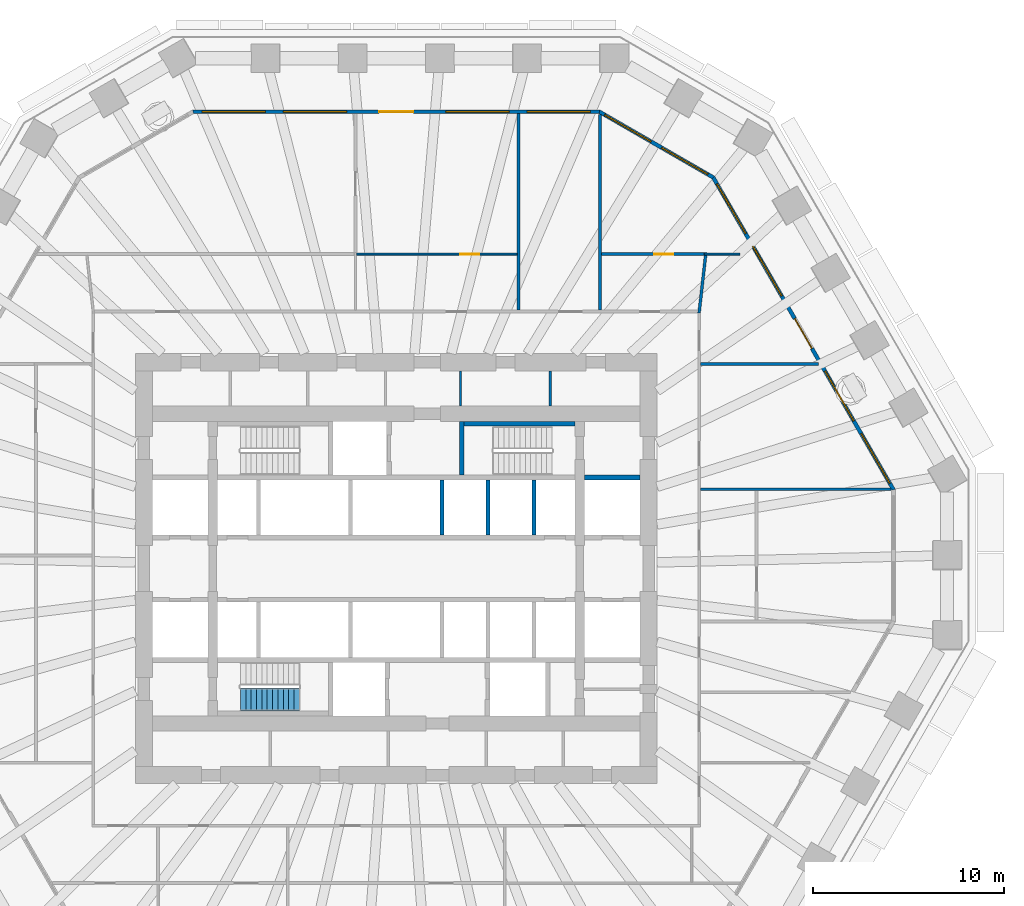
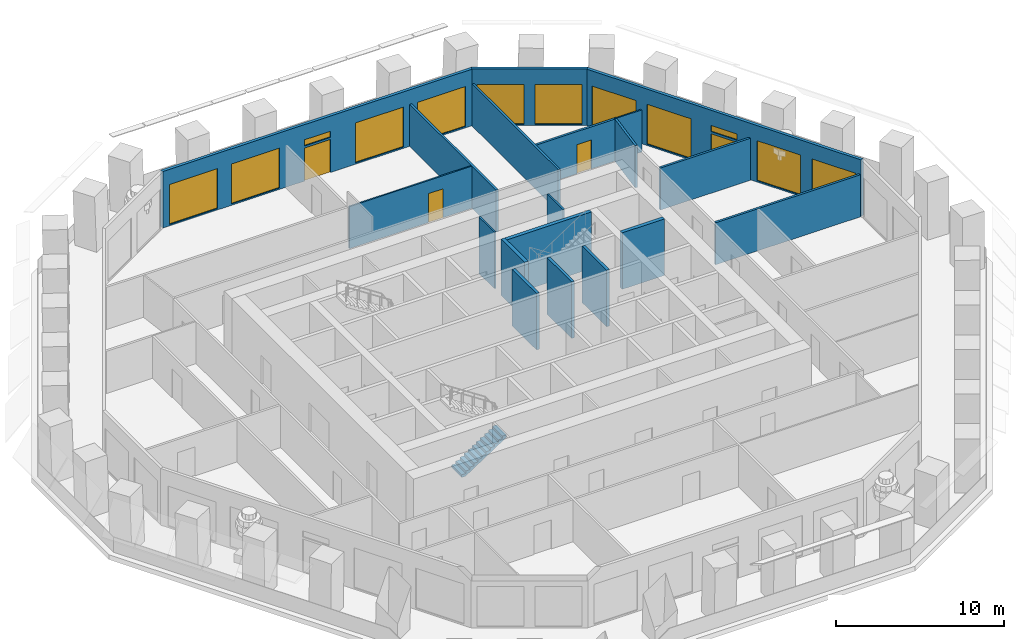
# One storey, part 8 of 13: 19 walls, 12 windows, 4 doors, 1 stair flight, 16 openings, 1 element without a shape of its own.
"""IFC4 building model written with IfcOpenShell, lengths in metres."""

from ifc_helpers import new_model, si_unit, direction, frame, frame_2d, origin, place, context, subcontext, project, spatial, polyline, rectangle, outline, extrude, material, layer, layer_set, type_object, element, fill, aggregate, save


model = new_model("IFC4")

# Units and contexts
model_context = context("Model", 3, precision=1e-05, world=origin(), true_north=direction((0.0, 1.0)))
body_context = subcontext(model_context, "Body", "Model", "MODEL_VIEW")
ifc_project = project(units=[si_unit("LENGTHUNIT", "METRE"), si_unit("AREAUNIT", "SQUARE_METRE"), si_unit("VOLUMEUNIT", "CUBIC_METRE"), si_unit("PLANEANGLEUNIT", "RADIAN"), si_unit("MASSUNIT", "GRAM", prefix="KILO")], contexts=[model_context])

# Site, building, storey
site_placement = place(None, origin())
site = spatial("IfcSite", under=ifc_project, at=site_placement, CompositionType="ELEMENT")
building_placement = place(site_placement, origin())
building = spatial("IfcBuilding", under=site, at=building_placement, Name="Frailejon Research Tower", CompositionType="ELEMENT")
storey_placement = place(building_placement, frame((0.0, 0.0, 36.60009765625)))
storey = spatial("IfcBuildingStorey", under=building, at=storey_placement, Name="L08", CompositionType="ELEMENT", Elevation=36.60009765625)

# Walls
ifc_material_1 = material(Name="Plasterboard on steel studs", Category="steel")
ifc_layer_1 = layer(ifc_material_1, 0.125)
ifc_layer_set_1 = layer_set([ifc_layer_1], Name="Core partition 125")
wall_type_1 = type_object("IfcWallType", Name="Core partition 125", PredefinedType="PARTITIONING", material=ifc_layer_set_1)
for number, where, z_axis, x_axis, name in (
    (1, (3.362548828125, 8.5, 0.0), (0.0, 0.0, 1.0), (0.0, 1.0, 0.0), "Core partition"),
    (2, (8.05615234375, 8.5, 0.0), (0.0, 0.0, 1.0), (0.0, 1.0, 0.0), "Core partition"),
):
    element("IfcWall", number, at=place(storey_placement, frame(where, z_axis=z_axis, x_axis=x_axis)), inside=storey, type_object=wall_type_1, Name=name, PredefinedType="PARTITIONING", context=body_context, shape_type="SweptSolid", body=[
        extrude(rectangle(XDim=1.85009765625, YDim=0.125, at=frame_2d((0.925048828125, 0.0))), origin(), (0.0, 0.0, 1.0), 4.099853515625),
    ])
ifc_material_2 = material(Name="Gypsum board and masonry partition", Category="masonry")
ifc_layer_2 = layer(ifc_material_2, 0.14990234375)
ifc_layer_set_2 = layer_set([ifc_layer_2], Name="Laboratory partition, blockwork 150")
wall_type_2 = type_object("IfcWallType", Name="Laboratory partition, blockwork 150", PredefinedType="PARTITIONING", material=ifc_layer_set_2)
wall_1_placement = place(storey_placement, frame((15.925048828125, 4.155517578125, 0.0), z_axis=(0.0, 0.0, 1.0), x_axis=(1.0, 0.0, 0.0)))
element("IfcWall", 3, at=wall_1_placement, inside=storey, type_object=wall_type_2, Name="T:IW:L08:006", PredefinedType="PARTITIONING", context=body_context, shape_type="SweptSolid", body=[
    extrude(rectangle(XDim=9.9560546875, YDim=0.14990234375, at=frame_2d((4.97802734375, 0.0))), origin(), (0.0, 0.0, 1.0), 3.0498046875),
])
wall_2_placement = place(storey_placement, frame((15.925048828125, 10.70751953125, 0.0), z_axis=(0.0, 0.0, 1.0), x_axis=(1.0, 0.0, 0.0)))
element("IfcWall", 4, at=wall_2_placement, inside=storey, type_object=wall_type_2, Name="T:IW:L08:009", PredefinedType="PARTITIONING", context=body_context, shape_type="SweptSolid", body=[
    extrude(rectangle(XDim=6.173095703125, YDim=0.14990234375, at=frame_2d((3.08642578125, 0.0))), origin(), (0.0, 0.0, 1.0), 3.0498046875),
])
wall_3_placement = place(storey_placement, frame((15.841552734375, 13.37548828125, 0.0), z_axis=(0.0, 0.0, 1.0), x_axis=(0.112800828348, 0.993617619169, 0.0)))
element("IfcWall", 5, at=wall_3_placement, inside=storey, type_object=wall_type_2, Name="T:IW:L08:010", PredefinedType="PARTITIONING", context=body_context, shape_type="SweptSolid", body=[
    extrude(rectangle(XDim=3.019287109375, YDim=0.14990234375, at=frame_2d((1.509765625, 0.0))), origin(), (0.0, 0.0, 1.0), 3.0498046875),
])

# Wall, opening, door
wall_4_placement = place(storey_placement, frame((10.729736328125, 16.449951171875, 0.0), z_axis=(0.0, 0.0, 1.0), x_axis=(1.0, 0.0, 0.0)))
wall_4 = element("IfcWall", 6, at=wall_4_placement, inside=storey, type_object=wall_type_2, Name="T:IW:L08:012", PredefinedType="PARTITIONING", context=body_context, shape_type="SweptSolid", body=[
    extrude(rectangle(XDim=5.535888671875, YDim=0.14990234375, at=frame_2d((2.76806640625, 0.0))), origin(), (0.0, 0.0, 1.0), 3.0498046875),
])
opening_1_placement = place(wall_4_placement, frame((2.768310546875, 0.0, 0.0)))
opening_1 = element("IfcOpeningElement", 7, at=opening_1_placement, cuts=wall_4, Name="Opening D1350", PredefinedType="OPENING", context=body_context, shape_type="SweptSolid", body=[
    extrude(rectangle(XDim=1.0, YDim=2.10009765625, at=frame_2d((0.5, 1.050048828125))), frame((0.0, 0.0849609375, 0.0), z_axis=(0.0, -1.0, 0.0), x_axis=(1.0, 0.0, 0.0)), (0.0, 0.0, 1.0), 0.169921875),
])
ifc_material_3 = material(Name="Timber door leaf", Category="wood")
door_type_1 = type_object("IfcDoorType", Name="Door single leaf, timber, steel frame 1000", OperationType="NOTDEFINED", PredefinedType="DOOR", material=ifc_material_3)
door_1_placement = place(opening_1_placement, origin())
door_1 = element("IfcDoor", 8, at=door_1_placement, inside=storey, type_object=door_type_1, Name="D1350", OperationType="SINGLE_SWING_RIGHT", OverallHeight=2.10009765625, OverallWidth=1.0, PredefinedType="DOOR", context=body_context, shape_type="SweptSolid", body=[
    extrude(rectangle(XDim=1.0, YDim=2.10009765625, at=frame_2d((0.5, 1.050048828125))), frame((0.0, 0.02490234375, 0.0), z_axis=(0.0, -1.0, 0.0), x_axis=(1.0, 0.0, 0.0)), (0.0, 0.0, 1.0), 0.050048828125),
])
fill(opening_1, door_1)

# Walls
wall_5_placement = place(storey_placement, frame((10.65478515625, 13.52490234375, 0.0), z_axis=(0.0, 0.0, 1.0), x_axis=(0.0, 1.0, 0.0)))
element("IfcWall", 9, at=wall_5_placement, inside=storey, type_object=wall_type_2, Name="T:IW:L08:013", PredefinedType="PARTITIONING", context=body_context, shape_type="SweptSolid", body=[
    extrude(rectangle(XDim=10.244140625, YDim=0.14990234375, at=frame_2d((5.1220703125, 0.0))), origin(), (0.0, 0.0, 1.0), 3.0498046875),
])
wall_6_placement = place(storey_placement, frame((6.392822265625, 13.52490234375, 0.0), z_axis=(0.0, 0.0, 1.0), x_axis=(0.0, 1.0, 0.0)))
element("IfcWall", 10, at=wall_6_placement, inside=storey, type_object=wall_type_2, Name="T:IW:L08:014", PredefinedType="PARTITIONING", context=body_context, shape_type="SweptSolid", body=[
    extrude(rectangle(XDim=10.275146484375, YDim=0.14990234375, at=frame_2d((5.1376953125, 0.0))), origin(), (0.0, 0.0, 1.0), 3.0498046875),
])

# Wall, opening, door
ifc_material_4 = material(Name="Gypsum board and masonry partition", Category="masonry")
ifc_layer_3 = layer(ifc_material_4, 0.10009765625)
ifc_layer_set_3 = layer_set([ifc_layer_3], Name="Partition, gypsum on steel studs 100")
wall_type_3 = type_object("IfcWallType", Name="Partition, gypsum on steel studs 100", PredefinedType="PARTITIONING", material=ifc_layer_set_3)
wall_7_placement = place(storey_placement, frame((-2.080810546875, 16.449951171875, 0.0), z_axis=(0.0, 0.0, 1.0), x_axis=(1.0, 0.0, 0.0)))
wall_7 = element("IfcWall", 11, at=wall_7_placement, inside=storey, type_object=wall_type_3, Name="T:IW:L08:024", PredefinedType="PARTITIONING", context=body_context, shape_type="SweptSolid", body=[
    extrude(rectangle(XDim=8.398681640625, YDim=0.10009765625, at=frame_2d((4.19921875, 0.0))), origin(), (0.0, 0.0, 1.0), 3.0498046875),
])
opening_2_placement = place(wall_7_placement, frame((5.417724609375, 0.0, 0.0)))
opening_2 = element("IfcOpeningElement", 12, at=opening_2_placement, cuts=wall_7, Name="Opening D1353", PredefinedType="OPENING", context=body_context, shape_type="SweptSolid", body=[
    extrude(rectangle(XDim=1.0, YDim=2.10009765625, at=frame_2d((0.5, 1.050048828125))), frame((0.0, 0.06005859375, 0.0), z_axis=(0.0, -1.0, 0.0), x_axis=(1.0, 0.0, 0.0)), (0.0, 0.0, 1.0), 0.1201171875),
])
door_2_placement = place(opening_2_placement, origin())
door_2 = element("IfcDoor", 13, at=door_2_placement, inside=storey, type_object=door_type_1, Name="D1353", OperationType="SINGLE_SWING_LEFT", OverallHeight=2.10009765625, OverallWidth=1.0, PredefinedType="DOOR", context=body_context, shape_type="SweptSolid", body=[
    extrude(rectangle(XDim=1.0, YDim=2.10009765625, at=frame_2d((0.5, 1.050048828125))), frame((0.0, 0.02490234375, 0.0), z_axis=(0.0, -1.0, 0.0), x_axis=(1.0, 0.0, 0.0)), (0.0, 0.0, 1.0), 0.050048828125),
])
fill(opening_2, door_2)

# Walls
wall_8_placement = place(storey_placement, frame((16.11572265625, 16.449951171875, 0.0), z_axis=(0.0, 0.0, 1.0), x_axis=(1.0, 0.0, 0.0)))
element("IfcWall", 14, at=wall_8_placement, inside=storey, type_object=wall_type_3, Name="T:IW:L08:025", PredefinedType="PARTITIONING", context=body_context, shape_type="SweptSolid", body=[
    extrude(rectangle(XDim=1.857421875, YDim=0.10009765625, at=frame_2d((0.9287109375, 0.0))), origin(), (0.0, 0.0, 1.0), 3.0498046875),
])
ifc_material_5 = material(Name="Concrete C70/85", Category="concrete")
ifc_layer_4 = layer(ifc_material_5, 0.199951171875)
ifc_layer_set_4 = layer_set([ifc_layer_4], Name="Shaft wall 200 C70/85")
wall_type_4 = type_object("IfcWallType", Name="Shaft wall 200 C70/85", PredefinedType="SOLIDWALL", material=ifc_layer_set_4)
for number, where, z_axis, x_axis, name in (
    (15, (2.39990234375, 1.75, 0.0), (0.0, 0.0, 1.0), (0.0, 1.0, 0.0), "Shaft wall"),
    (16, (4.800048828125, 1.75, 0.0), (0.0, 0.0, 1.0), (0.0, 1.0, 0.0), "Shaft wall"),
    (17, (7.199951171875, 1.75, 0.0), (0.0, 0.0, 1.0), (0.0, 1.0, 0.0), "Shaft wall"),
):
    element("IfcWall", number, at=place(storey_placement, frame(where, z_axis=z_axis, x_axis=x_axis)), inside=storey, type_object=wall_type_4, Name=name, PredefinedType="SOLIDWALL", context=body_context, shape_type="SweptSolid", body=[
        extrude(rectangle(XDim=2.89990234375, YDim=0.199951171875, at=frame_2d((1.449951171875, 0.0))), origin(), (0.0, 0.0, 1.0), 4.099853515625),
    ])
ifc_material_6 = material(Name="Concrete C70/85", Category="concrete")
ifc_layer_5 = layer(ifc_material_6, 0.25)
ifc_layer_set_5 = layer_set([ifc_layer_5], Name="Shaft wall 250 C70/85")
wall_type_5 = type_object("IfcWallType", Name="Shaft wall 250 C70/85", PredefinedType="SOLIDWALL", material=ifc_layer_set_5)
wall_9_placement = place(storey_placement, frame((9.85009765625, 4.77490234375, 0.0), z_axis=(0.0, 0.0, 1.0), x_axis=(1.0, 0.0, 0.0)))
element("IfcWall", 18, at=wall_9_placement, inside=storey, type_object=wall_type_5, Name="Shaft wall", PredefinedType="SOLIDWALL", context=body_context, shape_type="SweptSolid", body=[
    extrude(rectangle(XDim=2.89990234375, YDim=0.25, at=frame_2d((1.449951171875, 0.0))), origin(), (0.0, 0.0, 1.0), 4.099853515625),
])
wall_10_placement = place(storey_placement, frame((3.550048828125, 7.574951171875, 0.0), z_axis=(0.0, 0.0, 1.0), x_axis=(1.0, 0.0, 0.0)))
element("IfcWall", 19, at=wall_10_placement, inside=storey, type_object=wall_type_5, Name="Shaft wall", PredefinedType="SOLIDWALL", context=body_context, shape_type="SweptSolid", body=[
    extrude(rectangle(XDim=5.800048828125, YDim=0.25, at=frame_2d((2.89990234375, 0.0))), origin(), (0.0, 0.0, 1.0), 4.099853515625),
])
wall_11_placement = place(storey_placement, frame((3.425048828125, 4.89990234375, 0.0), z_axis=(0.0, 0.0, 1.0), x_axis=(0.0, 1.0, 0.0)))
element("IfcWall", 20, at=wall_11_placement, inside=storey, type_object=wall_type_5, Name="Shaft wall", PredefinedType="SOLIDWALL", context=body_context, shape_type="SweptSolid", body=[
    extrude(rectangle(XDim=2.800048828125, YDim=0.25, at=frame_2d((1.39990234375, 0.0))), origin(), (0.0, 0.0, 1.0), 4.099853515625),
])

# Wall, openings, door, windows
ifc_material_7 = material(Name="Concrete C40/50 precast window wall panel", Category="concrete")
ifc_layer_6 = layer(ifc_material_7, 0.199951171875)
ifc_layer_set_6 = layer_set([ifc_layer_6], Name="Window wall 200")
wall_type_6 = type_object("IfcWallType", Name="Window wall 200", PredefinedType="SOLIDWALL", material=ifc_layer_set_6)
wall_12_placement = place(storey_placement, frame((26.011962890625, 4.128662109375, 0.0), z_axis=(0.0, 0.0, 1.0), x_axis=(-0.499999588275, 0.866025641494, 0.0)))
wall_12 = element("IfcWall", 21, at=wall_12_placement, inside=storey, type_object=wall_type_6, Name="Exterior wall L08", PredefinedType="SOLIDWALL", context=body_context, shape_type="SweptSolid", body=[
    extrude(outline(polyline([(-0.02685546875, -0.10009765625), (1.02392578125, -0.10009765625), (2.07470703125, -0.10009765625), (3.12548828125, -0.10009765625), (4.17626953125, -0.10009765625), (5.227294921875, -0.10009765625), (6.278076171875, -0.10009765625), (7.328857421875, -0.10009765625), (8.379638671875, -0.10009765625), (9.430419921875, -0.10009765625), (10.481201171875, -0.10009765625), (11.531982421875, -0.10009765625), (12.582763671875, -0.10009765625), (13.633544921875, -0.10009765625), (14.6845703125, -0.10009765625), (15.7353515625, -0.10009765625), (16.7861328125, -0.10009765625), (17.8369140625, -0.10009765625), (18.8876953125, -0.10009765625), (18.833984375, 0.10009765625), (17.7890625, 0.10009765625), (16.744384765625, 0.10009765625), (15.699462890625, 0.10009765625), (14.654541015625, 0.10009765625), (13.60986328125, 0.10009765625), (12.56494140625, 0.10009765625), (11.52001953125, 0.10009765625), (10.475341796875, 0.10009765625), (9.430419921875, 0.10009765625), (8.385498046875, 0.10009765625), (7.3408203125, 0.10009765625), (6.2958984375, 0.10009765625), (5.2509765625, 0.10009765625), (4.206298828125, 0.10009765625), (3.161376953125, 0.10009765625), (2.116455078125, 0.10009765625), (1.07177734375, 0.10009765625), (0.02685546875, 0.10009765625), (-0.02685546875, -0.10009765625)])), origin(), (0.0, 0.0, 1.0), 4.099853515625),
])
opening_3_placement = place(wall_12_placement, frame((0.385986328125, 0.0, 0.10009765625)))
opening_3 = element("IfcOpeningElement", 22, at=opening_3_placement, cuts=wall_12, Name="Opening W4", PredefinedType="OPENING", context=body_context, shape_type="SweptSolid", body=[
    extrude(rectangle(XDim=3.0, YDim=2.89990234375, at=frame_2d((1.5, 1.449951171875))), frame((0.0, 0.10986328125, 0.0), z_axis=(0.0, -1.0, 0.0), x_axis=(1.0, 0.0, 0.0)), (0.0, 0.0, 1.0), 0.219970703125),
])
opening_4_placement = place(wall_12_placement, frame((4.158203125, 0.0, 0.10009765625)))
opening_4 = element("IfcOpeningElement", 23, at=opening_4_placement, cuts=wall_12, Name="Opening W4", PredefinedType="OPENING", context=body_context, shape_type="SweptSolid", body=[
    extrude(rectangle(XDim=3.0, YDim=2.89990234375, at=frame_2d((1.5, 1.449951171875))), frame((0.0, 0.10986328125, 0.0), z_axis=(0.0, -1.0, 0.0), x_axis=(1.0, 0.0, 0.0)), (0.0, 0.0, 1.0), 0.219970703125),
])
opening_5_placement = place(wall_12_placement, frame((8.530517578125, 0.0, 0.0)))
opening_5 = element("IfcOpeningElement", 24, at=opening_5_placement, cuts=wall_12, Name="Opening LG08-1", PredefinedType="OPENING", context=body_context, shape_type="SweptSolid", body=[
    extrude(rectangle(XDim=1.800048828125, YDim=2.39990234375, at=frame_2d((0.89990234375, 1.199951171875))), frame((0.0, 0.10986328125, 0.0), z_axis=(0.0, -1.0, 0.0), x_axis=(1.0, 0.0, 0.0)), (0.0, 0.0, 1.0), 0.219970703125),
])
opening_6_placement = place(wall_12_placement, frame((8.530517578125, 0.0, 2.550048828125)))
opening_6 = element("IfcOpeningElement", 25, at=opening_6_placement, cuts=wall_12, Name="Opening W1", PredefinedType="OPENING", context=body_context, shape_type="SweptSolid", body=[
    extrude(rectangle(XDim=1.800048828125, YDim=0.449951171875, at=frame_2d((0.89990234375, 0.22509765625))), frame((0.0, 0.10986328125, 0.0), z_axis=(0.0, -1.0, 0.0), x_axis=(1.0, 0.0, 0.0)), (0.0, 0.0, 1.0), 0.219970703125),
])
opening_7_placement = place(wall_12_placement, frame((11.70263671875, 0.0, 0.10009765625)))
opening_7 = element("IfcOpeningElement", 26, at=opening_7_placement, cuts=wall_12, Name="Opening W4", PredefinedType="OPENING", context=body_context, shape_type="SweptSolid", body=[
    extrude(rectangle(XDim=3.0, YDim=2.89990234375, at=frame_2d((1.5, 1.449951171875))), frame((0.0, 0.10986328125, 0.0), z_axis=(0.0, -1.0, 0.0), x_axis=(1.0, 0.0, 0.0)), (0.0, 0.0, 1.0), 0.219970703125),
])
opening_8_placement = place(wall_12_placement, frame((15.474853515625, 0.0, 0.10009765625)))
opening_8 = element("IfcOpeningElement", 27, at=opening_8_placement, cuts=wall_12, Name="Opening W4", PredefinedType="OPENING", context=body_context, shape_type="SweptSolid", body=[
    extrude(rectangle(XDim=3.0, YDim=2.89990234375, at=frame_2d((1.5, 1.449951171875))), frame((0.0, 0.10986328125, 0.0), z_axis=(0.0, -1.0, 0.0), x_axis=(1.0, 0.0, 0.0)), (0.0, 0.0, 1.0), 0.219970703125),
])
ifc_material_8 = material(Name="Aluminium framed glazed door leaf", Category="aluminium")
door_type_2 = type_object("IfcDoorType", Name="Loggia door 1800x2400", OperationType="DOUBLE_DOOR_SINGLE_SWING", PredefinedType="DOOR", material=ifc_material_8)
door_3_placement = place(opening_5_placement, origin())
door_3 = element("IfcDoor", 28, at=door_3_placement, inside=storey, type_object=door_type_2, Name="Door LG08-1", OperationType="DOUBLE_DOOR_SINGLE_SWING", OverallHeight=2.39990234375, OverallWidth=1.800048828125, PredefinedType="DOOR", context=body_context, shape_type="SweptSolid", body=[
    extrude(rectangle(XDim=1.800048828125, YDim=2.39990234375, at=frame_2d((0.89990234375, 1.199951171875))), frame((0.0, 0.02490234375, 0.0), z_axis=(0.0, -1.0, 0.0), x_axis=(1.0, 0.0, 0.0)), (0.0, 0.0, 1.0), 0.050048828125),
])
fill(opening_5, door_3)
ifc_material_9 = material(Name="Aluminium framed double glazing", Category="aluminium")
window_type_1 = type_object("IfcWindowType", Name="Window 1800x450", PartitioningType="SINGLE_PANEL", PredefinedType="WINDOW", material=ifc_material_9)
window_1_placement = place(opening_6_placement, origin())
window_1 = element("IfcWindow", 29, at=window_1_placement, inside=storey, type_object=window_type_1, Name="Window L08", OverallHeight=0.449951171875, OverallWidth=1.800048828125, PartitioningType="SINGLE_PANEL", PredefinedType="WINDOW", context=body_context, shape_type="SweptSolid", body=[
    extrude(rectangle(XDim=1.800048828125, YDim=0.449951171875, at=frame_2d((0.89990234375, 0.22509765625))), frame((0.0, 0.030029296875, 0.0), z_axis=(0.0, -1.0, 0.0), x_axis=(1.0, 0.0, 0.0)), (0.0, 0.0, 1.0), 0.06005859375),
])
fill(opening_6, window_1)
ifc_material_10 = material(Name="Aluminium framed double glazing", Category="aluminium")
window_type_2 = type_object("IfcWindowType", Name="Window 3000x2900", PartitioningType="SINGLE_PANEL", PredefinedType="WINDOW", material=ifc_material_10)
window_2_placement = place(opening_3_placement, origin())
window_2 = element("IfcWindow", 30, at=window_2_placement, inside=storey, type_object=window_type_2, Name="Window L08", OverallHeight=2.89990234375, OverallWidth=3.0, PartitioningType="SINGLE_PANEL", PredefinedType="WINDOW", context=body_context, shape_type="SweptSolid", body=[
    extrude(rectangle(XDim=3.0, YDim=2.89990234375, at=frame_2d((1.5, 1.449951171875))), frame((0.0, 0.030029296875, 0.0), z_axis=(0.0, -1.0, 0.0), x_axis=(1.0, 0.0, 0.0)), (0.0, 0.0, 1.0), 0.06005859375),
])
fill(opening_3, window_2)
window_3_placement = place(opening_4_placement, origin())
window_3 = element("IfcWindow", 31, at=window_3_placement, inside=storey, type_object=window_type_2, Name="Window L08", OverallHeight=2.89990234375, OverallWidth=3.0, PartitioningType="SINGLE_PANEL", PredefinedType="WINDOW", context=body_context, shape_type="SweptSolid", body=[
    extrude(rectangle(XDim=3.0, YDim=2.89990234375, at=frame_2d((1.5, 1.449951171875))), frame((0.0, 0.030029296875, 0.0), z_axis=(0.0, -1.0, 0.0), x_axis=(1.0, 0.0, 0.0)), (0.0, 0.0, 1.0), 0.06005859375),
])
fill(opening_4, window_3)
window_4_placement = place(opening_7_placement, origin())
window_4 = element("IfcWindow", 32, at=window_4_placement, inside=storey, type_object=window_type_2, Name="Window L08", OverallHeight=2.89990234375, OverallWidth=3.0, PartitioningType="SINGLE_PANEL", PredefinedType="WINDOW", context=body_context, shape_type="SweptSolid", body=[
    extrude(rectangle(XDim=3.0, YDim=2.89990234375, at=frame_2d((1.5, 1.449951171875))), frame((0.0, 0.030029296875, 0.0), z_axis=(0.0, -1.0, 0.0), x_axis=(1.0, 0.0, 0.0)), (0.0, 0.0, 1.0), 0.06005859375),
])
fill(opening_7, window_4)
window_5_placement = place(opening_8_placement, origin())
window_5 = element("IfcWindow", 33, at=window_5_placement, inside=storey, type_object=window_type_2, Name="Window L08", OverallHeight=2.89990234375, OverallWidth=3.0, PartitioningType="SINGLE_PANEL", PredefinedType="WINDOW", context=body_context, shape_type="SweptSolid", body=[
    extrude(rectangle(XDim=3.0, YDim=2.89990234375, at=frame_2d((1.5, 1.449951171875))), frame((0.0, 0.030029296875, 0.0), z_axis=(0.0, -1.0, 0.0), x_axis=(1.0, 0.0, 0.0)), (0.0, 0.0, 1.0), 0.06005859375),
])
fill(opening_8, window_5)

# Wall, openings, windows
wall_13_placement = place(storey_placement, frame((16.58154296875, 20.462646484375, 0.0), z_axis=(0.0, 0.0, 1.0), x_axis=(-0.866029458321, 0.49999297727, 0.0)))
wall_13 = element("IfcWall", 34, at=wall_13_placement, inside=storey, type_object=wall_type_6, Name="Exterior wall L08", PredefinedType="SOLIDWALL", context=body_context, shape_type="SweptSolid", body=[
    extrude(outline(polyline([(-0.02685546875, -0.10009765625), (1.1279296875, -0.10009765625), (2.282470703125, -0.10009765625), (3.437255859375, -0.10009765625), (4.592041015625, -0.10009765625), (5.74658203125, -0.10009765625), (6.9013671875, -0.10009765625), (6.84765625, 0.10009765625), (5.7109375, 0.10009765625), (4.573974609375, 0.10009765625), (3.437255859375, 0.10009765625), (2.300537109375, 0.10009765625), (1.16357421875, 0.10009765625), (0.02685546875, 0.10009765625), (-0.02685546875, -0.10009765625)])), origin(), (0.0, 0.0, 1.0), 4.099853515625),
])
opening_9_placement = place(wall_13_placement, frame((0.318603515625, 0.0, 0.10009765625)))
opening_9 = element("IfcOpeningElement", 35, at=opening_9_placement, cuts=wall_13, Name="Opening W3", PredefinedType="OPENING", context=body_context, shape_type="SweptSolid", body=[
    extrude(rectangle(XDim=2.800048828125, YDim=2.89990234375, at=frame_2d((1.39990234375, 1.449951171875))), frame((0.0, 0.10986328125, 0.0), z_axis=(0.0, -1.0, 0.0), x_axis=(1.0, 0.0, 0.0)), (0.0, 0.0, 1.0), 0.219970703125),
])
opening_10_placement = place(wall_13_placement, frame((3.756103515625, 0.0, 0.10009765625)))
opening_10 = element("IfcOpeningElement", 36, at=opening_10_placement, cuts=wall_13, Name="Opening W3", PredefinedType="OPENING", context=body_context, shape_type="SweptSolid", body=[
    extrude(rectangle(XDim=2.800048828125, YDim=2.89990234375, at=frame_2d((1.39990234375, 1.449951171875))), frame((0.0, 0.10986328125, 0.0), z_axis=(0.0, -1.0, 0.0), x_axis=(1.0, 0.0, 0.0)), (0.0, 0.0, 1.0), 0.219970703125),
])
ifc_material_11 = material(Name="Aluminium framed double glazing", Category="aluminium")
window_type_3 = type_object("IfcWindowType", Name="Window 2800x2900", PartitioningType="SINGLE_PANEL", PredefinedType="WINDOW", material=ifc_material_11)
window_6_placement = place(opening_9_placement, origin())
window_6 = element("IfcWindow", 37, at=window_6_placement, inside=storey, type_object=window_type_3, Name="Window L08", OverallHeight=2.89990234375, OverallWidth=2.800048828125, PartitioningType="SINGLE_PANEL", PredefinedType="WINDOW", context=body_context, shape_type="SweptSolid", body=[
    extrude(rectangle(XDim=2.800048828125, YDim=2.89990234375, at=frame_2d((1.39990234375, 1.449951171875))), frame((0.0, 0.030029296875, 0.0), z_axis=(0.0, -1.0, 0.0), x_axis=(1.0, 0.0, 0.0)), (0.0, 0.0, 1.0), 0.06005859375),
])
fill(opening_9, window_6)
window_7_placement = place(opening_10_placement, origin())
window_7 = element("IfcWindow", 38, at=window_7_placement, inside=storey, type_object=window_type_3, Name="Window L08", OverallHeight=2.89990234375, OverallWidth=2.800048828125, PartitioningType="SINGLE_PANEL", PredefinedType="WINDOW", context=body_context, shape_type="SweptSolid", body=[
    extrude(rectangle(XDim=2.800048828125, YDim=2.89990234375, at=frame_2d((1.39990234375, 1.449951171875))), frame((0.0, 0.030029296875, 0.0), z_axis=(0.0, -1.0, 0.0), x_axis=(1.0, 0.0, 0.0)), (0.0, 0.0, 1.0), 0.06005859375),
])
fill(opening_10, window_7)

# Wall, openings, door, windows
wall_14_placement = place(storey_placement, frame((10.6279296875, 23.89990234375, 0.0), z_axis=(0.0, 0.0, 1.0), x_axis=(-1.0, 0.0, 0.0)))
wall_14 = element("IfcWall", 39, at=wall_14_placement, inside=storey, type_object=wall_type_6, Name="Exterior wall L08", PredefinedType="SOLIDWALL", context=body_context, shape_type="SweptSolid", body=[
    extrude(outline(polyline([(-0.02685546875, -0.10009765625), (0.98779296875, -0.10009765625), (2.002685546875, -0.10009765625), (3.017333984375, -0.10009765625), (4.0322265625, -0.10009765625), (5.046875, -0.10009765625), (6.0615234375, -0.10009765625), (7.076416015625, -0.10009765625), (8.091064453125, -0.10009765625), (9.105712890625, -0.10009765625), (10.12060546875, -0.10009765625), (11.13525390625, -0.10009765625), (12.150146484375, -0.10009765625), (13.164794921875, -0.10009765625), (14.179443359375, -0.10009765625), (15.1943359375, -0.10009765625), (16.208984375, -0.10009765625), (17.2236328125, -0.10009765625), (18.238525390625, -0.10009765625), (19.253173828125, -0.10009765625), (20.26806640625, -0.10009765625), (21.28271484375, -0.10009765625), (21.22900390625, 0.10009765625), (20.219482421875, 0.10009765625), (19.209716796875, 0.10009765625), (18.2001953125, 0.10009765625), (17.1904296875, 0.10009765625), (16.180908203125, 0.10009765625), (15.171142578125, 0.10009765625), (14.16162109375, 0.10009765625), (13.152099609375, 0.10009765625), (12.142333984375, 0.10009765625), (11.1328125, 0.10009765625), (10.123046875, 0.10009765625), (9.113525390625, 0.10009765625), (8.103759765625, 0.10009765625), (7.09423828125, 0.10009765625), (6.084716796875, 0.10009765625), (5.074951171875, 0.10009765625), (4.0654296875, 0.10009765625), (3.0556640625, 0.10009765625), (2.046142578125, 0.10009765625), (1.036376953125, 0.10009765625), (0.02685546875, 0.10009765625), (-0.02685546875, -0.10009765625)])), origin(), (0.0, 0.0, 1.0), 4.099853515625),
])
opening_11_placement = place(wall_14_placement, frame((0.4755859375, 0.0, 0.10009765625)))
opening_11 = element("IfcOpeningElement", 40, at=opening_11_placement, cuts=wall_14, Name="Opening W5", PredefinedType="OPENING", context=body_context, shape_type="SweptSolid", body=[
    extrude(rectangle(XDim=3.300048828125, YDim=2.89990234375, at=frame_2d((1.64990234375, 1.449951171875))), frame((0.0, 0.10986328125, 0.0), z_axis=(0.0, -1.0, 0.0), x_axis=(1.0, 0.0, 0.0)), (0.0, 0.0, 1.0), 0.219970703125),
])
opening_12_placement = place(wall_14_placement, frame((4.726806640625, 0.0, 0.10009765625)))
opening_12 = element("IfcOpeningElement", 41, at=opening_12_placement, cuts=wall_14, Name="Opening W5", PredefinedType="OPENING", context=body_context, shape_type="SweptSolid", body=[
    extrude(rectangle(XDim=3.300048828125, YDim=2.89990234375, at=frame_2d((1.64990234375, 1.449951171875))), frame((0.0, 0.10986328125, 0.0), z_axis=(0.0, -1.0, 0.0), x_axis=(1.0, 0.0, 0.0)), (0.0, 0.0, 1.0), 0.219970703125),
])
opening_13_placement = place(wall_14_placement, frame((9.727783203125, 0.0, 0.0)))
opening_13 = element("IfcOpeningElement", 42, at=opening_13_placement, cuts=wall_14, Name="Opening LG08-2", PredefinedType="OPENING", context=body_context, shape_type="SweptSolid", body=[
    extrude(rectangle(XDim=1.800048828125, YDim=2.39990234375, at=frame_2d((0.89990234375, 1.199951171875))), frame((0.0, 0.10986328125, 0.0), z_axis=(0.0, -1.0, 0.0), x_axis=(1.0, 0.0, 0.0)), (0.0, 0.0, 1.0), 0.219970703125),
])
opening_14_placement = place(wall_14_placement, frame((9.727783203125, 0.0, 2.550048828125)))
opening_14 = element("IfcOpeningElement", 43, at=opening_14_placement, cuts=wall_14, Name="Opening W1", PredefinedType="OPENING", context=body_context, shape_type="SweptSolid", body=[
    extrude(rectangle(XDim=1.800048828125, YDim=0.449951171875, at=frame_2d((0.89990234375, 0.22509765625))), frame((0.0, 0.10986328125, 0.0), z_axis=(0.0, -1.0, 0.0), x_axis=(1.0, 0.0, 0.0)), (0.0, 0.0, 1.0), 0.219970703125),
])
opening_15_placement = place(wall_14_placement, frame((13.22900390625, 0.0, 0.10009765625)))
opening_15 = element("IfcOpeningElement", 44, at=opening_15_placement, cuts=wall_14, Name="Opening W5", PredefinedType="OPENING", context=body_context, shape_type="SweptSolid", body=[
    extrude(rectangle(XDim=3.300048828125, YDim=2.89990234375, at=frame_2d((1.64990234375, 1.449951171875))), frame((0.0, 0.10986328125, 0.0), z_axis=(0.0, -1.0, 0.0), x_axis=(1.0, 0.0, 0.0)), (0.0, 0.0, 1.0), 0.219970703125),
])
opening_16_placement = place(wall_14_placement, frame((17.480224609375, 0.0, 0.10009765625)))
opening_16 = element("IfcOpeningElement", 45, at=opening_16_placement, cuts=wall_14, Name="Opening W5", PredefinedType="OPENING", context=body_context, shape_type="SweptSolid", body=[
    extrude(rectangle(XDim=3.300048828125, YDim=2.89990234375, at=frame_2d((1.64990234375, 1.449951171875))), frame((0.0, 0.10986328125, 0.0), z_axis=(0.0, -1.0, 0.0), x_axis=(1.0, 0.0, 0.0)), (0.0, 0.0, 1.0), 0.219970703125),
])
door_4_placement = place(opening_13_placement, origin())
door_4 = element("IfcDoor", 46, at=door_4_placement, inside=storey, type_object=door_type_2, Name="Door LG08-2", OperationType="DOUBLE_DOOR_SINGLE_SWING", OverallHeight=2.39990234375, OverallWidth=1.800048828125, PredefinedType="DOOR", context=body_context, shape_type="SweptSolid", body=[
    extrude(rectangle(XDim=1.800048828125, YDim=2.39990234375, at=frame_2d((0.89990234375, 1.199951171875))), frame((0.0, 0.02490234375, 0.0), z_axis=(0.0, -1.0, 0.0), x_axis=(1.0, 0.0, 0.0)), (0.0, 0.0, 1.0), 0.050048828125),
])
fill(opening_13, door_4)
window_8_placement = place(opening_14_placement, origin())
window_8 = element("IfcWindow", 47, at=window_8_placement, inside=storey, type_object=window_type_1, Name="Window L08", OverallHeight=0.449951171875, OverallWidth=1.800048828125, PartitioningType="SINGLE_PANEL", PredefinedType="WINDOW", context=body_context, shape_type="SweptSolid", body=[
    extrude(rectangle(XDim=1.800048828125, YDim=0.449951171875, at=frame_2d((0.89990234375, 0.22509765625))), frame((0.0, 0.030029296875, 0.0), z_axis=(0.0, -1.0, 0.0), x_axis=(1.0, 0.0, 0.0)), (0.0, 0.0, 1.0), 0.06005859375),
])
fill(opening_14, window_8)
ifc_material_12 = material(Name="Aluminium framed double glazing", Category="aluminium")
window_type_4 = type_object("IfcWindowType", Name="Window 3300x2900", PartitioningType="SINGLE_PANEL", PredefinedType="WINDOW", material=ifc_material_12)
window_9_placement = place(opening_11_placement, origin())
window_9 = element("IfcWindow", 48, at=window_9_placement, inside=storey, type_object=window_type_4, Name="Window L08", OverallHeight=2.89990234375, OverallWidth=3.300048828125, PartitioningType="SINGLE_PANEL", PredefinedType="WINDOW", context=body_context, shape_type="SweptSolid", body=[
    extrude(rectangle(XDim=3.300048828125, YDim=2.89990234375, at=frame_2d((1.64990234375, 1.449951171875))), frame((0.0, 0.030029296875, 0.0), z_axis=(0.0, -1.0, 0.0), x_axis=(1.0, 0.0, 0.0)), (0.0, 0.0, 1.0), 0.06005859375),
])
fill(opening_11, window_9)
window_10_placement = place(opening_12_placement, origin())
window_10 = element("IfcWindow", 49, at=window_10_placement, inside=storey, type_object=window_type_4, Name="Window L08", OverallHeight=2.89990234375, OverallWidth=3.300048828125, PartitioningType="SINGLE_PANEL", PredefinedType="WINDOW", context=body_context, shape_type="SweptSolid", body=[
    extrude(rectangle(XDim=3.300048828125, YDim=2.89990234375, at=frame_2d((1.64990234375, 1.449951171875))), frame((0.0, 0.030029296875, 0.0), z_axis=(0.0, -1.0, 0.0), x_axis=(1.0, 0.0, 0.0)), (0.0, 0.0, 1.0), 0.06005859375),
])
fill(opening_12, window_10)
window_11_placement = place(opening_15_placement, origin())
window_11 = element("IfcWindow", 50, at=window_11_placement, inside=storey, type_object=window_type_4, Name="Window L08", OverallHeight=2.89990234375, OverallWidth=3.300048828125, PartitioningType="SINGLE_PANEL", PredefinedType="WINDOW", context=body_context, shape_type="SweptSolid", body=[
    extrude(rectangle(XDim=3.300048828125, YDim=2.89990234375, at=frame_2d((1.64990234375, 1.449951171875))), frame((0.0, 0.030029296875, 0.0), z_axis=(0.0, -1.0, 0.0), x_axis=(1.0, 0.0, 0.0)), (0.0, 0.0, 1.0), 0.06005859375),
])
fill(opening_15, window_11)
window_12_placement = place(opening_16_placement, origin())
window_12 = element("IfcWindow", 51, at=window_12_placement, inside=storey, type_object=window_type_4, Name="Window L08", OverallHeight=2.89990234375, OverallWidth=3.300048828125, PartitioningType="SINGLE_PANEL", PredefinedType="WINDOW", context=body_context, shape_type="SweptSolid", body=[
    extrude(rectangle(XDim=3.300048828125, YDim=2.89990234375, at=frame_2d((1.64990234375, 1.449951171875))), frame((0.0, 0.030029296875, 0.0), z_axis=(0.0, -1.0, 0.0), x_axis=(1.0, 0.0, 0.0)), (0.0, 0.0, 1.0), 0.06005859375),
])
fill(opening_16, window_12)

# Stair, stair flight
ifc_material_13 = material(Name="Concrete C50/60", Category="concrete")
stair_type = type_object("IfcStairType", Name="Exit stair 24 risers", PredefinedType="HALF_TURN_STAIR", material=ifc_material_13)
stair_placement = place(storey_placement, origin())
stair = element("IfcStair", 52, at=stair_placement, inside=storey, type_object=stair_type, Name="L08 Exit stair ST2", PredefinedType="HALF_TURN_STAIR")
ifc_material_14 = material(Name="Concrete C50/60", Category="concrete")
ifc_layer_7 = layer(ifc_material_14, 0.14990234375)
ifc_layer_set_7 = layer_set([ifc_layer_7], Name="Stair flight 12 risers")
stair_flight_type = type_object("IfcStairFlightType", Name="Stair flight 12 risers", PredefinedType="STRAIGHT", material=ifc_layer_set_7)
stair_flight_placement = place(storey_placement, frame((-8.14990234375, -6.85009765625, 0.0), z_axis=(0.0, 0.0, 1.0), x_axis=(1.0, 0.0, 0.0)))
stair_flight = element("IfcStairFlight", 53, at=stair_flight_placement, type_object=stair_flight_type, Name="ST2 flight 1", NumberOfRisers=12, NumberOfTreads=11, PredefinedType="STRAIGHT", RiserHeight=0.183333333, TreadLength=0.28, context=body_context, shape_type="SweptSolid", body=[
    extrude(outline(polyline([(0.0, 0.0), (0.0, 0.183349609375), (0.280029296875, 0.183349609375), (0.280029296875, 0.36669921875), (0.56005859375, 0.36669921875), (0.56005859375, 0.550048828125), (0.840087890625, 0.550048828125), (0.840087890625, 0.7333984375), (1.1201171875, 0.7333984375), (1.1201171875, 0.916748046875), (1.39990234375, 0.916748046875), (1.39990234375, 1.10009765625), (1.679931640625, 1.10009765625), (1.679931640625, 1.283447265625), (1.9599609375, 1.283447265625), (1.9599609375, 1.466552734375), (2.239990234375, 1.466552734375), (2.239990234375, 1.64990234375), (2.52001953125, 1.64990234375), (2.52001953125, 1.833251953125), (2.800048828125, 1.833251953125), (2.800048828125, 2.0166015625), (3.080078125, 2.0166015625), (3.080078125, 2.199951171875), (3.080078125, 1.83740234375), (0.273681640625, 0.0), (0.0, 0.0)])), frame((0.0, 0.60009765625, 0.0), z_axis=(0.0, -1.0, 0.0), x_axis=(1.0, 0.0, 0.0)), (0.0, 0.0, 1.0), 1.199951171875),
])
aggregate(stair, [stair_flight])

save(model, "model.ifc")
